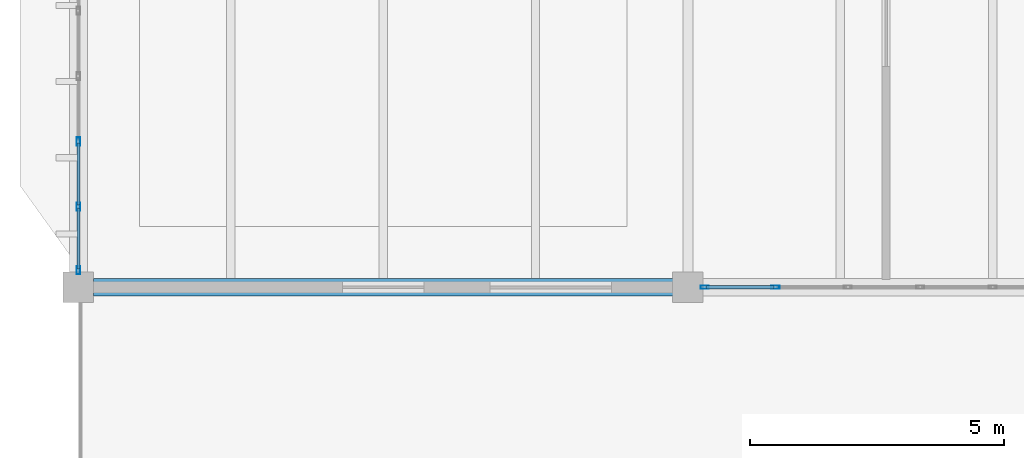
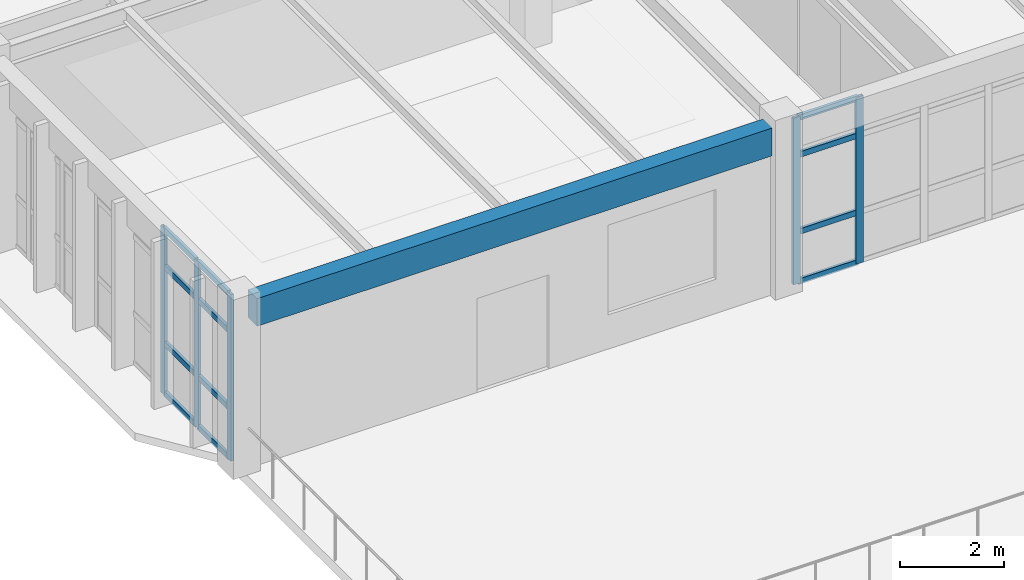
# One storey, part 1 of 37: 17 members, 1 beam, 2 elements without a shape of their own.
"""IFC4 building model written with IfcOpenShell, lengths in metres."""

import ifcopenshell
import ifcopenshell.guid

model = None  # the IFC model being written
_history = None  # IfcOwnerHistory: only IFC2X3 demands one
_inside = {}  # id of a spatial element -> (the spatial element, [elements in it])
_under = {}  # id of a project, library or spatial element -> (it, [spatial elements below it])
_declared = {}  # id of a project -> (the project, [libraries it declares])
_typed = {}  # id of a type object -> (the type object, [elements of that type])
_made_of = {}  # id of a material, layer set ... -> (it, [elements and type objects made of it])


def new_model(schema):
    """Start an empty IFC model of exactly this schema.

    Asked for "IFC4X3", IfcOpenShell would pick the latest addendum, in which some entities
    have other attributes; the version numbers below select the first issue.
    IFC2X3 requires an IfcOwnerHistory on every rooted entity: one is made here for all.
    """
    global model, _history
    if schema == "IFC4X3":
        model = ifcopenshell.file(schema_version=(4, 3, 0, 0))
    else:
        model = ifcopenshell.file(schema=schema)
    _inside.clear()
    _under.clear()
    _declared.clear()
    _typed.clear()
    _made_of.clear()
    _history = None
    if model.schema == "IFC2X3":
        org = make("IfcOrganization", Name="unknown")
        user = make(
            "IfcPersonAndOrganization",
            ThePerson=make("IfcPerson", FamilyName="unknown"),
            TheOrganization=org,
        )
        app = make(
            "IfcApplication",
            ApplicationDeveloper=org,
            Version="unknown",
            ApplicationFullName="unknown",
            ApplicationIdentifier="unknown",
        )
        _history = make(
            "IfcOwnerHistory",
            OwningUser=user,
            OwningApplication=app,
            ChangeAction="ADDED",
            CreationDate=0,
        )
    return model


def make(cls, **values):
    """One entity of the class cls with the attributes given. An attribute that is None is left unset."""
    return model.create_entity(
        cls, **{name: value for name, value in values.items() if value is not None}
    )


def rooted(cls, **values):
    """An entity with a GlobalId (a new one), such as an element, a storey or a relation."""
    return make(cls, GlobalId=ifcopenshell.guid.new(), OwnerHistory=_history, **values)


def si_unit(unit_type, name, prefix=None):
    """IfcSIUnit, for example si_unit("LENGTHUNIT", "METRE", prefix="MILLI")."""
    return make("IfcSIUnit", UnitType=unit_type, Prefix=prefix, Name=name)


def assignment(units):
    """IfcUnitAssignment: the units of a project."""
    return None if units is None else make("IfcUnitAssignment", Units=units)


def point(xyz):
    """IfcCartesianPoint."""
    return None if xyz is None else make("IfcCartesianPoint", Coordinates=xyz)


def direction(xyz):
    """IfcDirection."""
    return None if xyz is None else make("IfcDirection", DirectionRatios=xyz)


def frame(location, z_axis=None, x_axis=None):
    """IfcAxis2Placement3D, a coordinate frame: its origin and axes. An axis left out is left unset."""
    return make(
        "IfcAxis2Placement3D",
        Location=point(location),
        Axis=direction(z_axis),
        RefDirection=direction(x_axis),
    )


def frame_2d(location, x_axis=None):
    """IfcAxis2Placement2D, a coordinate frame in the plane: its origin and x axis."""
    return make(
        "IfcAxis2Placement2D", Location=point(location), RefDirection=direction(x_axis)
    )


def origin():
    """The frame at (0, 0, 0) with its axes left unset."""
    return frame((0.0, 0.0, 0.0))


def origin_2d():
    """The frame at (0, 0) in the plane with its x axis left unset."""
    return frame_2d((0.0, 0.0))


def place(relative_to, where):
    """IfcLocalPlacement: puts the frame where relative to a parent placement (None: the world)."""
    return make(
        "IfcLocalPlacement", PlacementRelTo=relative_to, RelativePlacement=where
    )


def context(
    kind, dimensions, precision=None, world=None, true_north=None, identifier=None
):
    """IfcGeometricRepresentationContext, for example the 3D "Model" context."""
    return make(
        "IfcGeometricRepresentationContext",
        ContextIdentifier=identifier,
        ContextType=kind,
        CoordinateSpaceDimension=dimensions,
        Precision=precision,
        WorldCoordinateSystem=world,
        TrueNorth=true_north,
    )


def subcontext(parent, identifier, kind, view, scale=None):
    """IfcGeometricRepresentationSubContext, for example "Body" below "Model"."""
    return make(
        "IfcGeometricRepresentationSubContext",
        ContextIdentifier=identifier,
        ContextType=kind,
        ParentContext=parent,
        TargetScale=scale,
        TargetView=view,
    )


def project(units=None, contexts=None):
    """IfcProject with its units and contexts."""
    return rooted(
        "IfcProject",
        Name="project",
        RepresentationContexts=contexts,
        UnitsInContext=assignment(units),
    )


def spatial(cls, under=None, at=None, **own):
    """A site, building, storey or space (cls), placed at a placement, below another one or the project."""
    s = rooted(cls, ObjectPlacement=at, **own)
    if under is not None:
        _under.setdefault(under.id(), (under, []))[1].append(s)
    return s


def profile(cls, at=None, kind="AREA", **sizes):
    """A parametric profile (cls). Its sizes go by their IFC names, for example OverallWidth=200.0."""
    return make(cls, ProfileType=kind, Position=at, **sizes)


def rectangle(**sizes):
    """IfcRectangleProfileDef."""
    return profile("IfcRectangleProfileDef", **sizes)


def hollow_rectangle(**sizes):
    """IfcRectangleHollowProfileDef."""
    return profile("IfcRectangleHollowProfileDef", **sizes)


def extrude(swept, where, along, depth):
    """IfcExtrudedAreaSolid: the profile swept, set in the frame where, extruded along a direction by depth."""
    return make(
        "IfcExtrudedAreaSolid",
        SweptArea=swept,
        Position=where,
        ExtrudedDirection=direction(along),
        Depth=depth,
    )


def shape(context_of_items, identifier, shape_type, items):
    """IfcShapeRepresentation: the items that make up one representation, for example the "Body"."""
    return make(
        "IfcShapeRepresentation",
        ContextOfItems=context_of_items,
        RepresentationIdentifier=identifier,
        RepresentationType=shape_type,
        Items=items,
    )


def material(Name=None, Category=None):
    """IfcMaterial."""
    return make("IfcMaterial", Name=Name, Category=Category)


def layer(
    of_material, thickness, ventilated=None, Name=None, Category=None, Priority=None
):
    """IfcMaterialLayer: one layer of a wall or slab, of a material (None: an air gap)."""
    return make(
        "IfcMaterialLayer",
        Material=of_material,
        LayerThickness=thickness,
        IsVentilated=ventilated,
        Name=Name,
        Category=Category,
        Priority=Priority,
    )


def layer_set(layers, Name=None):
    """IfcMaterialLayerSet."""
    return make("IfcMaterialLayerSet", MaterialLayers=layers, LayerSetName=Name)


def material_profile(
    of_material, cross_section, Name=None, Category=None, Priority=None
):
    """IfcMaterialProfile: a cross section and its material."""
    return make(
        "IfcMaterialProfile",
        Name=Name,
        Material=of_material,
        Profile=cross_section,
        Priority=Priority,
        Category=Category,
    )


def profile_set(profiles, Name=None, composite=None):
    """IfcMaterialProfileSet."""
    return make(
        "IfcMaterialProfileSet",
        Name=Name,
        MaterialProfiles=profiles,
        CompositeProfile=composite,
    )


def made_of(thing, what):
    """Note that an element or type object is made of a material, layer set ...; save() writes the relation."""
    if what is not None:
        _made_of.setdefault(what.id(), (what, []))[1].append(thing)
    return thing


def type_object(cls, material=None, **own):
    """A type object (cls), such as IfcWallType, which elements share."""
    return made_of(rooted(cls, **own), material)


def element(
    cls,
    number,
    at=None,
    inside=None,
    cuts=None,
    type_object=None,
    material=None,
    context=None,
    identifier="Body",
    shape_type=None,
    held_by="IfcProductDefinitionShape",
    body=None,
    shapes=None,
    **own,
):
    """One element of the class cls, such as IfcWall. Its Tag is "e" and its number.

    at: its placement. inside: the storey or other place that contains it. cuts: it is an
    opening in that element (IfcRelVoidsElement). A single representation is given by context,
    identifier, shape_type and body (its items); several are given by shapes. held_by: the class
    of the entity that holds the representations. save() writes the other relations.
    """
    e = rooted(cls, Tag="e%d" % number, ObjectPlacement=at, **own)
    if body is not None:
        shapes = [shape(context, identifier, shape_type, body)]
    if shapes is not None:
        e.Representation = make(held_by, Representations=shapes)
    if inside is not None:
        _inside.setdefault(inside.id(), (inside, []))[1].append(e)
    if cuts is not None:
        rooted(
            "IfcRelVoidsElement", RelatingBuildingElement=cuts, RelatedOpeningElement=e
        )
    if type_object is not None:
        _typed.setdefault(type_object.id(), (type_object, []))[1].append(e)
    return made_of(e, material)


def aggregate(whole, parts):
    """IfcRelAggregates: a whole, such as a stair, and the parts it consists of."""
    return rooted("IfcRelAggregates", RelatingObject=whole, RelatedObjects=parts)


def save(model, path):
    """Write the relations noted so far, then the file.

    IfcRelAggregates (storeys below a building ...), IfcRelContainedInSpatialStructure (elements
    in a storey), IfcRelDefinesByType, IfcRelAssociatesMaterial and IfcRelDeclares: one each for
    every whole, place, type object, material and project.
    """
    for whole, parts in _under.values():
        aggregate(whole, parts)
    for where, things in _inside.values():
        rooted(
            "IfcRelContainedInSpatialStructure",
            RelatedElements=things,
            RelatingStructure=where,
        )
    for kind, things in _typed.values():
        rooted("IfcRelDefinesByType", RelatedObjects=things, RelatingType=kind)
    for what, things in _made_of.values():
        rooted("IfcRelAssociatesMaterial", RelatedObjects=things, RelatingMaterial=what)
    for by, libraries in _declared.values():
        rooted("IfcRelDeclares", RelatingContext=by, RelatedDefinitions=libraries)
    model.write(path)


model = new_model("IFC4")

# Units and contexts
model_context = context("Model", 3, precision=1e-05, world=origin(), true_north=direction((0.0, 1.0)))
body_context = subcontext(model_context, "Body", "Model", "MODEL_VIEW")
ifc_project = project(units=[si_unit("LENGTHUNIT", "METRE"), si_unit("AREAUNIT", "SQUARE_METRE"), si_unit("VOLUMEUNIT", "CUBIC_METRE"), si_unit("PLANEANGLEUNIT", "RADIAN"), si_unit("MASSUNIT", "GRAM", prefix="KILO")], contexts=[model_context])

# Site, building, storey
site_placement = place(None, origin())
site = spatial("IfcSite", under=ifc_project, at=site_placement, CompositionType="ELEMENT")
building_placement = place(site_placement, origin())
building = spatial("IfcBuilding", under=site, at=building_placement, Name="Pandanus Reach Market Hall", CompositionType="ELEMENT")
storey_placement = place(building_placement, frame((0.0, 0.0, 14.39990234375)))
storey = spatial("IfcBuildingStorey", under=building, at=storey_placement, Name="L03", CompositionType="ELEMENT", Elevation=14.39990234375)

# Beam
ifc_material_1 = material(Name="Concrete N40 (40 MPa)", Category="concrete")
ifc_material_profile_1 = material_profile(ifc_material_1, rectangle(XDim=0.35009765625, YDim=0.64990234375, at=origin_2d()), Name="RC350x650", Category="LoadBearing")
ifc_profile_set_1 = profile_set([ifc_material_profile_1], Name="Concrete N40 (40 MPa)")
beam_type = type_object("IfcBeamType", Name="BM-RC350-E", PredefinedType="SPANDREL", material=ifc_profile_set_1)
beam_placement = place(storey_placement, frame((144.298095703125, 28.800048828125, 3.630126953125), z_axis=(1.0, 0.0, 0.0), x_axis=(0.0, 1.0, 0.0)))
element("IfcBeam", 1, at=beam_placement, inside=storey, type_object=beam_type, Name="Framing beam BM-RC350-E L03.536", PredefinedType="SPANDREL", context=body_context, shape_type="SweptSolid", body=[
    extrude(rectangle(XDim=0.35009765625, YDim=0.64990234375, at=origin_2d()), origin(), (0.0, 0.0, 1.0), 11.40380859375),
])

# Curtain wall, members
ifc_material_2 = material(Name="Bronze anodised aluminium and low-E glass", Category="aluminium")
ifc_layer_1 = layer(ifc_material_2, 0.159912109375, Name="CW-30")
ifc_layer_set_1 = layer_set([ifc_layer_1], Name="Bronze anodised aluminium and low-E glass")
curtain_wall_type_1 = type_object("IfcCurtainWallType", Name="CW-30", PredefinedType="NOTDEFINED", material=ifc_layer_set_1)
curtain_wall_1_placement = place(storey_placement, origin())
curtain_wall_1 = element("IfcCurtainWall", 2, at=curtain_wall_1_placement, inside=storey, type_object=curtain_wall_type_1, Name="Glazed curtain wall CW-30 CW-0116", PredefinedType="NOTDEFINED")
ifc_material_3 = material(Name="Bronze anodised aluminium", Category="aluminium")
ifc_material_profile_2 = material_profile(ifc_material_3, hollow_rectangle(XDim=0.06494140625, YDim=0.159912109375, WallThickness=0.00390625, at=origin_2d()), Name="ALU65x160", Category="LoadBearing")
ifc_profile_set_2 = profile_set([ifc_material_profile_2], Name="Bronze anodised aluminium")
member_type_1 = type_object("IfcMemberType", Name="CW-M1", PredefinedType="MULLION", material=ifc_profile_set_2)
member_1_placement = place(storey_placement, frame((156.33251953125, 28.800048828125, 0.0), z_axis=(0.0, 0.0, 1.0), x_axis=(0.0, 1.0, 0.0)))
member_1 = element("IfcMember", 3, at=member_1_placement, type_object=member_type_1, Name="CW-30 mullion 1", PredefinedType="MULLION", context=body_context, shape_type="SweptSolid", body=[
    extrude(hollow_rectangle(XDim=0.06494140625, YDim=0.159912109375, WallThickness=0.00390625, at=origin_2d()), origin(), (0.0, 0.0, 1.0), 3.900146484375),
])
member_2_placement = place(storey_placement, frame((157.72509765625, 28.800048828125, 0.0), z_axis=(0.0, 0.0, 1.0), x_axis=(0.0, 1.0, 0.0)))
member_2 = element("IfcMember", 4, at=member_2_placement, type_object=member_type_1, Name="CW-30 mullion 2", PredefinedType="MULLION", context=body_context, shape_type="SweptSolid", body=[
    extrude(hollow_rectangle(XDim=0.06494140625, YDim=0.159912109375, WallThickness=0.00390625, at=origin_2d()), origin(), (0.0, 0.0, 1.0), 3.900146484375),
])

ifc_layer_2 = layer(ifc_material_2, 0.159912109375, Name="CW-33")
ifc_layer_set_2 = layer_set([ifc_layer_2], Name="Bronze anodised aluminium and low-E glass")
curtain_wall_type_2 = type_object("IfcCurtainWallType", Name="CW-33", PredefinedType="NOTDEFINED", material=ifc_layer_set_2)
curtain_wall_2_placement = place(storey_placement, origin())
curtain_wall_2 = element("IfcCurtainWall", 5, at=curtain_wall_2_placement, inside=storey, type_object=curtain_wall_type_2, Name="Glazed curtain wall CW-33 CW-0122", PredefinedType="NOTDEFINED")
member_3_placement = place(storey_placement, frame((144.0, 29.132568359375, 0.0), z_axis=(0.0, 0.0, 1.0), x_axis=(-1.0, 0.0, 0.0)))
member_3 = element("IfcMember", 6, at=member_3_placement, type_object=member_type_1, Name="CW-33 mullion 1", PredefinedType="MULLION", context=body_context, shape_type="SweptSolid", body=[
    extrude(hollow_rectangle(XDim=0.06494140625, YDim=0.159912109375, WallThickness=0.00390625, at=origin_2d()), origin(), (0.0, 0.0, 1.0), 3.900146484375),
])
member_4_placement = place(storey_placement, frame((144.0, 30.3857421875, 0.0), z_axis=(0.0, 0.0, 1.0), x_axis=(-1.0, 0.0, 0.0)))
member_4 = element("IfcMember", 7, at=member_4_placement, type_object=member_type_1, Name="CW-33 mullion 2", PredefinedType="MULLION", context=body_context, shape_type="SweptSolid", body=[
    extrude(hollow_rectangle(XDim=0.06494140625, YDim=0.159912109375, WallThickness=0.00390625, at=origin_2d()), origin(), (0.0, 0.0, 1.0), 3.900146484375),
])
member_5_placement = place(storey_placement, frame((144.0, 31.67138671875, 0.0), z_axis=(0.0, 0.0, 1.0), x_axis=(-1.0, 0.0, 0.0)))
member_5 = element("IfcMember", 8, at=member_5_placement, type_object=member_type_1, Name="CW-33 mullion 3", PredefinedType="MULLION", context=body_context, shape_type="SweptSolid", body=[
    extrude(hollow_rectangle(XDim=0.06494140625, YDim=0.159912109375, WallThickness=0.00390625, at=origin_2d()), origin(), (0.0, 0.0, 1.0), 3.900146484375),
])

# Member
ifc_material_profile_3 = material_profile(ifc_material_3, hollow_rectangle(XDim=0.06494140625, YDim=0.1298828125, WallThickness=0.00390625, at=origin_2d()), Name="ALU65x130", Category="LoadBearing")
ifc_profile_set_3 = profile_set([ifc_material_profile_3], Name="Bronze anodised aluminium")
member_type_2 = type_object("IfcMemberType", Name="CW-T1", PredefinedType="USERDEFINED", material=ifc_profile_set_3)
member_6_placement = place(storey_placement, frame((156.364990234375, 28.800048828125, 0.03271484375), z_axis=(1.0, 0.0, 0.0), x_axis=(0.0, 1.0, 0.0)))
member_6 = element("IfcMember", 9, at=member_6_placement, type_object=member_type_2, Name="CW-30 transom 1.1", ObjectType="TRANSOM", PredefinedType="USERDEFINED", context=body_context, shape_type="SweptSolid", body=[
    extrude(hollow_rectangle(XDim=0.06494140625, YDim=0.1298828125, WallThickness=0.00390625, at=origin_2d()), origin(), (0.0, 0.0, 1.0), 1.327392578125),
])

member_7_placement = place(storey_placement, frame((156.364990234375, 28.800048828125, 1.2001953125), z_axis=(1.0, 0.0, 0.0), x_axis=(0.0, 1.0, 0.0)))
member_7 = element("IfcMember", 10, at=member_7_placement, type_object=member_type_2, Name="CW-30 transom 1.2", ObjectType="TRANSOM", PredefinedType="USERDEFINED", context=body_context, shape_type="SweptSolid", body=[
    extrude(hollow_rectangle(XDim=0.06494140625, YDim=0.1298828125, WallThickness=0.00390625, at=origin_2d()), origin(), (0.0, 0.0, 1.0), 1.327392578125),
])

member_8_placement = place(storey_placement, frame((156.364990234375, 28.800048828125, 3.0), z_axis=(1.0, 0.0, 0.0), x_axis=(0.0, 1.0, 0.0)))
member_8 = element("IfcMember", 11, at=member_8_placement, type_object=member_type_2, Name="CW-30 transom 1.3", ObjectType="TRANSOM", PredefinedType="USERDEFINED", context=body_context, shape_type="SweptSolid", body=[
    extrude(hollow_rectangle(XDim=0.06494140625, YDim=0.1298828125, WallThickness=0.00390625, at=origin_2d()), origin(), (0.0, 0.0, 1.0), 1.327392578125),
])

member_9_placement = place(storey_placement, frame((156.364990234375, 28.800048828125, 3.86767578125), z_axis=(1.0, 0.0, 0.0), x_axis=(0.0, 1.0, 0.0)))
member_9 = element("IfcMember", 12, at=member_9_placement, type_object=member_type_2, Name="CW-30 transom 1.4", ObjectType="TRANSOM", PredefinedType="USERDEFINED", context=body_context, shape_type="SweptSolid", body=[
    extrude(hollow_rectangle(XDim=0.06494140625, YDim=0.1298828125, WallThickness=0.00390625, at=origin_2d()), origin(), (0.0, 0.0, 1.0), 1.327392578125),
])

aggregate(curtain_wall_1, [member_1, member_2, member_6, member_7, member_8, member_9])

member_10_placement = place(storey_placement, frame((144.0, 29.1650390625, 0.03271484375), z_axis=(0.0, 1.0, 0.0), x_axis=(-1.0, 0.0, 0.0)))
member_10 = element("IfcMember", 13, at=member_10_placement, type_object=member_type_2, Name="CW-33 transom 1.1", ObjectType="TRANSOM", PredefinedType="USERDEFINED", context=body_context, shape_type="SweptSolid", body=[
    extrude(hollow_rectangle(XDim=0.06494140625, YDim=0.1298828125, WallThickness=0.00390625, at=origin_2d()), origin(), (0.0, 0.0, 1.0), 1.188232421875),
])

member_11_placement = place(storey_placement, frame((144.0, 29.1650390625, 1.2001953125), z_axis=(0.0, 1.0, 0.0), x_axis=(-1.0, 0.0, 0.0)))
member_11 = element("IfcMember", 14, at=member_11_placement, type_object=member_type_2, Name="CW-33 transom 1.2", ObjectType="TRANSOM", PredefinedType="USERDEFINED", context=body_context, shape_type="SweptSolid", body=[
    extrude(hollow_rectangle(XDim=0.06494140625, YDim=0.1298828125, WallThickness=0.00390625, at=origin_2d()), origin(), (0.0, 0.0, 1.0), 1.188232421875),
])

member_12_placement = place(storey_placement, frame((144.0, 29.1650390625, 3.0), z_axis=(0.0, 1.0, 0.0), x_axis=(-1.0, 0.0, 0.0)))
member_12 = element("IfcMember", 15, at=member_12_placement, type_object=member_type_2, Name="CW-33 transom 1.3", ObjectType="TRANSOM", PredefinedType="USERDEFINED", context=body_context, shape_type="SweptSolid", body=[
    extrude(hollow_rectangle(XDim=0.06494140625, YDim=0.1298828125, WallThickness=0.00390625, at=origin_2d()), origin(), (0.0, 0.0, 1.0), 1.188232421875),
])

member_13_placement = place(storey_placement, frame((144.0, 29.1650390625, 3.86767578125), z_axis=(0.0, 1.0, 0.0), x_axis=(-1.0, 0.0, 0.0)))
member_13 = element("IfcMember", 16, at=member_13_placement, type_object=member_type_2, Name="CW-33 transom 1.4", ObjectType="TRANSOM", PredefinedType="USERDEFINED", context=body_context, shape_type="SweptSolid", body=[
    extrude(hollow_rectangle(XDim=0.06494140625, YDim=0.1298828125, WallThickness=0.00390625, at=origin_2d()), origin(), (0.0, 0.0, 1.0), 1.188232421875),
])

member_14_placement = place(storey_placement, frame((144.0, 30.418212890625, 0.03271484375), z_axis=(0.0, 1.0, 0.0), x_axis=(-1.0, 0.0, 0.0)))
member_14 = element("IfcMember", 17, at=member_14_placement, type_object=member_type_2, Name="CW-33 transom 2.1", ObjectType="TRANSOM", PredefinedType="USERDEFINED", context=body_context, shape_type="SweptSolid", body=[
    extrude(hollow_rectangle(XDim=0.06494140625, YDim=0.1298828125, WallThickness=0.00390625, at=origin_2d()), origin(), (0.0, 0.0, 1.0), 1.220703125),
])

member_15_placement = place(storey_placement, frame((144.0, 30.418212890625, 1.2001953125), z_axis=(0.0, 1.0, 0.0), x_axis=(-1.0, 0.0, 0.0)))
member_15 = element("IfcMember", 18, at=member_15_placement, type_object=member_type_2, Name="CW-33 transom 2.2", ObjectType="TRANSOM", PredefinedType="USERDEFINED", context=body_context, shape_type="SweptSolid", body=[
    extrude(hollow_rectangle(XDim=0.06494140625, YDim=0.1298828125, WallThickness=0.00390625, at=origin_2d()), origin(), (0.0, 0.0, 1.0), 1.220703125),
])

member_16_placement = place(storey_placement, frame((144.0, 30.418212890625, 3.0), z_axis=(0.0, 1.0, 0.0), x_axis=(-1.0, 0.0, 0.0)))
member_16 = element("IfcMember", 19, at=member_16_placement, type_object=member_type_2, Name="CW-33 transom 2.3", ObjectType="TRANSOM", PredefinedType="USERDEFINED", context=body_context, shape_type="SweptSolid", body=[
    extrude(hollow_rectangle(XDim=0.06494140625, YDim=0.1298828125, WallThickness=0.00390625, at=origin_2d()), origin(), (0.0, 0.0, 1.0), 1.220703125),
])

member_17_placement = place(storey_placement, frame((144.0, 30.418212890625, 3.86767578125), z_axis=(0.0, 1.0, 0.0), x_axis=(-1.0, 0.0, 0.0)))
member_17 = element("IfcMember", 20, at=member_17_placement, type_object=member_type_2, Name="CW-33 transom 2.4", ObjectType="TRANSOM", PredefinedType="USERDEFINED", context=body_context, shape_type="SweptSolid", body=[
    extrude(hollow_rectangle(XDim=0.06494140625, YDim=0.1298828125, WallThickness=0.00390625, at=origin_2d()), origin(), (0.0, 0.0, 1.0), 1.220703125),
])

aggregate(curtain_wall_2, [member_3, member_4, member_5, member_10, member_11, member_12, member_13, member_14, member_15, member_16, member_17])

save(model, "model.ifc")
